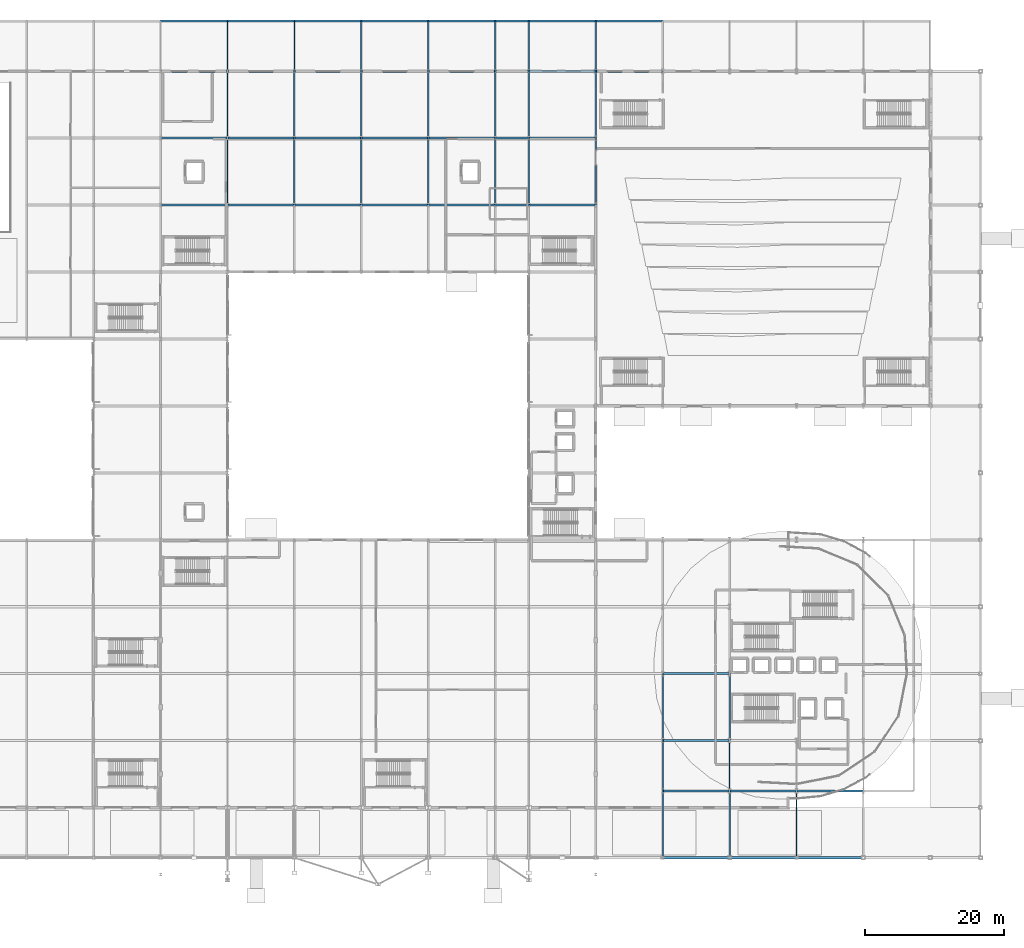
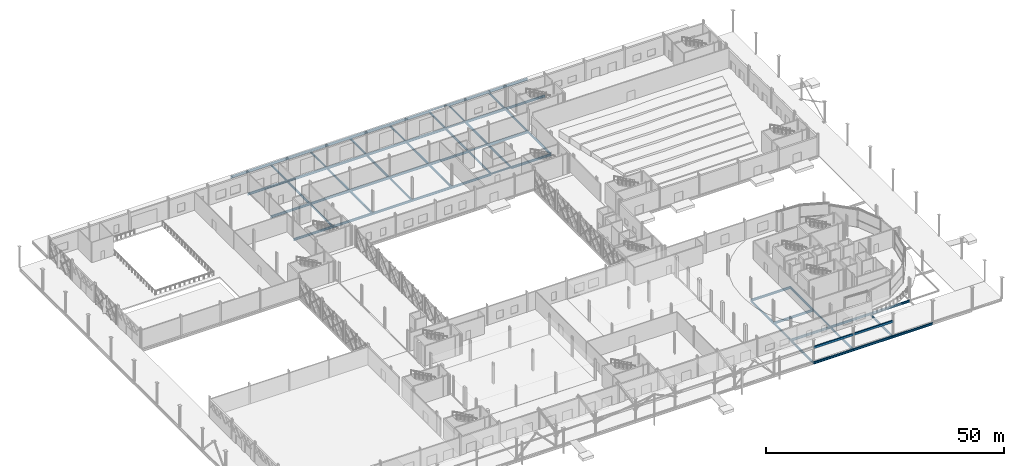
# One storey, part 42 of 84: 68 beams.
"""IFC4 building model written with IfcOpenShell, lengths in metres."""

from ifc_helpers import new_model, si_unit, direction, frame, origin, origin_2d, place, context, subcontext, project, spatial, rectangle, i_section, extrude, material, material_profile, profile_set, type_object, element, save


model = new_model("IFC4")

# Units and contexts
model_context = context("Model", 3, precision=1e-05, world=origin(), true_north=direction((0.0, 1.0)))
body_context = subcontext(model_context, "Body", "Model", "MODEL_VIEW")
ifc_project = project(units=[si_unit("LENGTHUNIT", "METRE"), si_unit("AREAUNIT", "SQUARE_METRE"), si_unit("VOLUMEUNIT", "CUBIC_METRE"), si_unit("PLANEANGLEUNIT", "RADIAN"), si_unit("MASSUNIT", "GRAM", prefix="KILO")], contexts=[model_context])

# Site, building, storey
site_placement = place(None, origin())
site = spatial("IfcSite", under=ifc_project, at=site_placement, CompositionType="ELEMENT")
building_placement = place(site_placement, origin())
building = spatial("IfcBuilding", under=site, at=building_placement, Name="Zevrakil Square Congress Hotel", CompositionType="ELEMENT")
storey_placement = place(building_placement, origin())
storey = spatial("IfcBuildingStorey", under=building, at=storey_placement, Name="L01", CompositionType="ELEMENT", Elevation=0.0)

# Beams
ifc_material_1 = material(Name="Steel S355", Category="steel")
ifc_material_profile_1 = material_profile(ifc_material_1, i_section(OverallWidth=0.300048828125, OverallDepth=0.31005859375, WebThickness=0.009033203125, FlangeThickness=0.015380859375, FilletRadius=0.027099609375, at=origin_2d()), Name="HEA 320")
ifc_profile_set_1 = profile_set([ifc_material_profile_1], Name="Steel S355")
beam_type_1 = type_object("IfcBeamType", Name="BM-HEA320", PredefinedType="BEAM", material=ifc_profile_set_1)
for number, where, z_axis, x_axis, name in (
    (1, (103.199951171875, 93.60009765625, -0.47509765625), (1.0, 0.0, 0.0), (0.0, 1.0, 0.0), "L01 primary girder BX-0408"),
    (2, (103.199951171875, 103.199951171875, -0.47509765625), (1.0, 0.0, 0.0), (0.0, 1.0, 0.0), "L01 primary girder BX-0420"),
    (3, (103.199951171875, 112.800048828125, -0.47509765625), (1.0, 0.0, 0.0), (0.0, 1.0, 0.0), "L01 primary girder BX-0434"),
    (4, (103.199951171875, 120.0, -0.47509765625), (1.0, 0.0, 0.0), (0.0, 1.0, 0.0), "L01 primary girder BX-0452"),
):
    element("IfcBeam", number, at=place(storey_placement, frame(where, z_axis=z_axis, x_axis=x_axis)), inside=storey, type_object=beam_type_1, Name=name, PredefinedType="BEAM", context=body_context, shape_type="SweptSolid", body=[
        extrude(i_section(OverallWidth=0.300048828125, OverallDepth=0.31005859375, WebThickness=0.009033203125, FlangeThickness=0.015380859375, FilletRadius=0.027099609375, at=origin_2d()), origin(), (0.0, 0.0, 1.0), 4.800048828125),
    ])
ifc_material_2 = material(Name="Steel S355", Category="steel")
ifc_material_profile_2 = material_profile(ifc_material_2, i_section(OverallWidth=0.300048828125, OverallDepth=0.5400390625, WebThickness=0.012451171875, FlangeThickness=0.02392578125, FilletRadius=0.027099609375, at=origin_2d()), Name="HEA 550")
ifc_profile_set_2 = profile_set([ifc_material_profile_2], Name="Steel S355")
beam_type_2 = type_object("IfcBeamType", Name="BM-HEA550", PredefinedType="BEAM", material=ifc_profile_set_2)
beam_1_placement = place(storey_placement, frame((127.199951171875, 0.0, -0.590087890625), z_axis=(1.0, 0.0, 0.0), x_axis=(0.0, 1.0, 0.0)))
element("IfcBeam", 5, at=beam_1_placement, inside=storey, type_object=beam_type_2, Name="L01 primary girder BX-0273", PredefinedType="BEAM", context=body_context, shape_type="SweptSolid", body=[
    extrude(i_section(OverallWidth=0.300048828125, OverallDepth=0.5400390625, WebThickness=0.012451171875, FlangeThickness=0.02392578125, FilletRadius=0.027099609375, at=origin_2d()), origin(), (0.0, 0.0, 1.0), 9.60009765625),
])
beam_2_placement = place(storey_placement, frame((136.800048828125, 0.0, -0.590087890625), z_axis=(1.0, 0.0, 0.0), x_axis=(0.0, 1.0, 0.0)))
element("IfcBeam", 6, at=beam_2_placement, inside=storey, type_object=beam_type_2, Name="L01 primary girder BX-0274", PredefinedType="BEAM", context=body_context, shape_type="SweptSolid", body=[
    extrude(i_section(OverallWidth=0.300048828125, OverallDepth=0.5400390625, WebThickness=0.012451171875, FlangeThickness=0.02392578125, FilletRadius=0.027099609375, at=origin_2d()), origin(), (0.0, 0.0, 1.0), 9.599853515625),
])
for number, where, z_axis, x_axis, name in (
    (7, (146.39990234375, 0.0, -0.590087890625), (1.0, 0.0, 0.0), (0.0, 1.0, 0.0), "L01 primary girder BX-0275"),
    (8, (127.199951171875, 9.60009765625, -0.590087890625), (1.0, 0.0, 0.0), (0.0, 1.0, 0.0), "L01 primary girder BX-0291"),
):
    element("IfcBeam", number, at=place(storey_placement, frame(where, z_axis=z_axis, x_axis=x_axis)), inside=storey, type_object=beam_type_2, Name=name, PredefinedType="BEAM", context=body_context, shape_type="SweptSolid", body=[
        extrude(i_section(OverallWidth=0.300048828125, OverallDepth=0.5400390625, WebThickness=0.012451171875, FlangeThickness=0.02392578125, FilletRadius=0.027099609375, at=origin_2d()), origin(), (0.0, 0.0, 1.0), 9.60009765625),
    ])
beam_3_placement = place(storey_placement, frame((136.800048828125, 9.60009765625, -0.590087890625), z_axis=(1.0, 0.0, 0.0), x_axis=(0.0, 1.0, 0.0)))
element("IfcBeam", 9, at=beam_3_placement, inside=storey, type_object=beam_type_2, Name="L01 primary girder BX-0292", PredefinedType="BEAM", context=body_context, shape_type="SweptSolid", body=[
    extrude(i_section(OverallWidth=0.300048828125, OverallDepth=0.5400390625, WebThickness=0.012451171875, FlangeThickness=0.02392578125, FilletRadius=0.027099609375, at=origin_2d()), origin(), (0.0, 0.0, 1.0), 9.599853515625),
])
for number, where, z_axis, x_axis, name in (
    (10, (146.39990234375, 9.60009765625, -0.590087890625), (1.0, 0.0, 0.0), (0.0, 1.0, 0.0), "L01 primary girder BX-0293"),
    (11, (127.199951171875, 16.800048828125, -0.590087890625), (1.0, 0.0, 0.0), (0.0, 1.0, 0.0), "L01 primary girder BX-0309"),
    (12, (127.199951171875, 26.39990234375, -0.590087890625), (1.0, 0.0, 0.0), (0.0, 1.0, 0.0), "L01 primary girder BX-0328"),
    (13, (55.199951171875, 93.60009765625, -0.590087890625), (1.0, 0.0, 0.0), (0.0, 1.0, 0.0), "L01 primary girder BX-0403"),
):
    element("IfcBeam", number, at=place(storey_placement, frame(where, z_axis=z_axis, x_axis=x_axis)), inside=storey, type_object=beam_type_2, Name=name, PredefinedType="BEAM", context=body_context, shape_type="SweptSolid", body=[
        extrude(i_section(OverallWidth=0.300048828125, OverallDepth=0.5400390625, WebThickness=0.012451171875, FlangeThickness=0.02392578125, FilletRadius=0.027099609375, at=origin_2d()), origin(), (0.0, 0.0, 1.0), 9.60009765625),
    ])
beam_4_placement = place(storey_placement, frame((64.800048828125, 93.60009765625, -0.590087890625), z_axis=(1.0, 0.0, 0.0), x_axis=(0.0, 1.0, 0.0)))
element("IfcBeam", 14, at=beam_4_placement, inside=storey, type_object=beam_type_2, Name="L01 primary girder BX-0404", PredefinedType="BEAM", context=body_context, shape_type="SweptSolid", body=[
    extrude(i_section(OverallWidth=0.300048828125, OverallDepth=0.5400390625, WebThickness=0.012451171875, FlangeThickness=0.02392578125, FilletRadius=0.027099609375, at=origin_2d()), origin(), (0.0, 0.0, 1.0), 9.599853515625),
])
for number, where, z_axis, x_axis, name in (
    (15, (74.39990234375, 93.60009765625, -0.590087890625), (1.0, 0.0, 0.0), (0.0, 1.0, 0.0), "L01 primary girder BX-0405"),
    (16, (84.0, 93.60009765625, -0.590087890625), (1.0, 0.0, 0.0), (0.0, 1.0, 0.0), "L01 primary girder BX-0406"),
):
    element("IfcBeam", number, at=place(storey_placement, frame(where, z_axis=z_axis, x_axis=x_axis)), inside=storey, type_object=beam_type_2, Name=name, PredefinedType="BEAM", context=body_context, shape_type="SweptSolid", body=[
        extrude(i_section(OverallWidth=0.300048828125, OverallDepth=0.5400390625, WebThickness=0.012451171875, FlangeThickness=0.02392578125, FilletRadius=0.027099609375, at=origin_2d()), origin(), (0.0, 0.0, 1.0), 9.60009765625),
    ])
beam_5_placement = place(storey_placement, frame((93.60009765625, 93.60009765625, -0.590087890625), z_axis=(1.0, 0.0, 0.0), x_axis=(0.0, 1.0, 0.0)))
element("IfcBeam", 17, at=beam_5_placement, inside=storey, type_object=beam_type_2, Name="L01 primary girder BX-0407", PredefinedType="BEAM", context=body_context, shape_type="SweptSolid", body=[
    extrude(i_section(OverallWidth=0.300048828125, OverallDepth=0.5400390625, WebThickness=0.012451171875, FlangeThickness=0.02392578125, FilletRadius=0.027099609375, at=origin_2d()), origin(), (0.0, 0.0, 1.0), 9.599853515625),
])
for number, where, z_axis, x_axis, name in (
    (18, (108.0, 93.60009765625, -0.590087890625), (1.0, 0.0, 0.0), (0.0, 1.0, 0.0), "L01 primary girder BX-0409"),
    (19, (55.199951171875, 103.199951171875, -0.590087890625), (1.0, 0.0, 0.0), (0.0, 1.0, 0.0), "L01 primary girder BX-0415"),
):
    element("IfcBeam", number, at=place(storey_placement, frame(where, z_axis=z_axis, x_axis=x_axis)), inside=storey, type_object=beam_type_2, Name=name, PredefinedType="BEAM", context=body_context, shape_type="SweptSolid", body=[
        extrude(i_section(OverallWidth=0.300048828125, OverallDepth=0.5400390625, WebThickness=0.012451171875, FlangeThickness=0.02392578125, FilletRadius=0.027099609375, at=origin_2d()), origin(), (0.0, 0.0, 1.0), 9.60009765625),
    ])
beam_6_placement = place(storey_placement, frame((64.800048828125, 103.199951171875, -0.590087890625), z_axis=(1.0, 0.0, 0.0), x_axis=(0.0, 1.0, 0.0)))
element("IfcBeam", 20, at=beam_6_placement, inside=storey, type_object=beam_type_2, Name="L01 primary girder BX-0416", PredefinedType="BEAM", context=body_context, shape_type="SweptSolid", body=[
    extrude(i_section(OverallWidth=0.300048828125, OverallDepth=0.5400390625, WebThickness=0.012451171875, FlangeThickness=0.02392578125, FilletRadius=0.027099609375, at=origin_2d()), origin(), (0.0, 0.0, 1.0), 9.599853515625),
])
for number, where, z_axis, x_axis, name in (
    (21, (74.39990234375, 103.199951171875, -0.590087890625), (1.0, 0.0, 0.0), (0.0, 1.0, 0.0), "L01 primary girder BX-0417"),
    (22, (84.0, 103.199951171875, -0.590087890625), (1.0, 0.0, 0.0), (0.0, 1.0, 0.0), "L01 primary girder BX-0418"),
):
    element("IfcBeam", number, at=place(storey_placement, frame(where, z_axis=z_axis, x_axis=x_axis)), inside=storey, type_object=beam_type_2, Name=name, PredefinedType="BEAM", context=body_context, shape_type="SweptSolid", body=[
        extrude(i_section(OverallWidth=0.300048828125, OverallDepth=0.5400390625, WebThickness=0.012451171875, FlangeThickness=0.02392578125, FilletRadius=0.027099609375, at=origin_2d()), origin(), (0.0, 0.0, 1.0), 9.60009765625),
    ])
beam_7_placement = place(storey_placement, frame((93.60009765625, 103.199951171875, -0.590087890625), z_axis=(1.0, 0.0, 0.0), x_axis=(0.0, 1.0, 0.0)))
element("IfcBeam", 23, at=beam_7_placement, inside=storey, type_object=beam_type_2, Name="L01 primary girder BX-0419", PredefinedType="BEAM", context=body_context, shape_type="SweptSolid", body=[
    extrude(i_section(OverallWidth=0.300048828125, OverallDepth=0.5400390625, WebThickness=0.012451171875, FlangeThickness=0.02392578125, FilletRadius=0.027099609375, at=origin_2d()), origin(), (0.0, 0.0, 1.0), 9.599853515625),
])
for number, where, z_axis, x_axis, name in (
    (24, (108.0, 103.199951171875, -0.590087890625), (1.0, 0.0, 0.0), (0.0, 1.0, 0.0), "L01 primary girder BX-0421"),
    (25, (55.199951171875, 112.800048828125, -0.590087890625), (1.0, 0.0, 0.0), (0.0, 1.0, 0.0), "L01 primary girder BX-0429"),
):
    element("IfcBeam", number, at=place(storey_placement, frame(where, z_axis=z_axis, x_axis=x_axis)), inside=storey, type_object=beam_type_2, Name=name, PredefinedType="BEAM", context=body_context, shape_type="SweptSolid", body=[
        extrude(i_section(OverallWidth=0.300048828125, OverallDepth=0.5400390625, WebThickness=0.012451171875, FlangeThickness=0.02392578125, FilletRadius=0.027099609375, at=origin_2d()), origin(), (0.0, 0.0, 1.0), 9.60009765625),
    ])
beam_8_placement = place(storey_placement, frame((64.800048828125, 112.800048828125, -0.590087890625), z_axis=(1.0, 0.0, 0.0), x_axis=(0.0, 1.0, 0.0)))
element("IfcBeam", 26, at=beam_8_placement, inside=storey, type_object=beam_type_2, Name="L01 primary girder BX-0430", PredefinedType="BEAM", context=body_context, shape_type="SweptSolid", body=[
    extrude(i_section(OverallWidth=0.300048828125, OverallDepth=0.5400390625, WebThickness=0.012451171875, FlangeThickness=0.02392578125, FilletRadius=0.027099609375, at=origin_2d()), origin(), (0.0, 0.0, 1.0), 9.599853515625),
])
for number, where, z_axis, x_axis, name in (
    (27, (74.39990234375, 112.800048828125, -0.590087890625), (1.0, 0.0, 0.0), (0.0, 1.0, 0.0), "L01 primary girder BX-0431"),
    (28, (84.0, 112.800048828125, -0.590087890625), (1.0, 0.0, 0.0), (0.0, 1.0, 0.0), "L01 primary girder BX-0432"),
):
    element("IfcBeam", number, at=place(storey_placement, frame(where, z_axis=z_axis, x_axis=x_axis)), inside=storey, type_object=beam_type_2, Name=name, PredefinedType="BEAM", context=body_context, shape_type="SweptSolid", body=[
        extrude(i_section(OverallWidth=0.300048828125, OverallDepth=0.5400390625, WebThickness=0.012451171875, FlangeThickness=0.02392578125, FilletRadius=0.027099609375, at=origin_2d()), origin(), (0.0, 0.0, 1.0), 9.60009765625),
    ])
beam_9_placement = place(storey_placement, frame((93.60009765625, 112.800048828125, -0.590087890625), z_axis=(1.0, 0.0, 0.0), x_axis=(0.0, 1.0, 0.0)))
element("IfcBeam", 29, at=beam_9_placement, inside=storey, type_object=beam_type_2, Name="L01 primary girder BX-0433", PredefinedType="BEAM", context=body_context, shape_type="SweptSolid", body=[
    extrude(i_section(OverallWidth=0.300048828125, OverallDepth=0.5400390625, WebThickness=0.012451171875, FlangeThickness=0.02392578125, FilletRadius=0.027099609375, at=origin_2d()), origin(), (0.0, 0.0, 1.0), 9.599853515625),
])
beam_10_placement = place(storey_placement, frame((108.0, 112.800048828125, -0.590087890625), z_axis=(1.0, 0.0, 0.0), x_axis=(0.0, 1.0, 0.0)))
element("IfcBeam", 30, at=beam_10_placement, inside=storey, type_object=beam_type_2, Name="L01 primary girder BX-0435", PredefinedType="BEAM", context=body_context, shape_type="SweptSolid", body=[
    extrude(i_section(OverallWidth=0.300048828125, OverallDepth=0.5400390625, WebThickness=0.012451171875, FlangeThickness=0.02392578125, FilletRadius=0.027099609375, at=origin_2d()), origin(), (0.0, 0.0, 1.0), 9.60009765625),
])
beam_11_placement = place(storey_placement, frame((117.60009765625, 112.800048828125, -0.590087890625), z_axis=(1.0, 0.0, 0.0), x_axis=(0.0, 1.0, 0.0)))
element("IfcBeam", 31, at=beam_11_placement, inside=storey, type_object=beam_type_2, Name="L01 primary girder BX-0436", PredefinedType="BEAM", context=body_context, shape_type="SweptSolid", body=[
    extrude(i_section(OverallWidth=0.300048828125, OverallDepth=0.5400390625, WebThickness=0.012451171875, FlangeThickness=0.02392578125, FilletRadius=0.027099609375, at=origin_2d()), origin(), (0.0, 0.0, 1.0), 9.599853515625),
])
beam_12_placement = place(storey_placement, frame((55.199951171875, 120.0, -0.590087890625), z_axis=(1.0, 0.0, 0.0), x_axis=(0.0, 1.0, 0.0)))
element("IfcBeam", 32, at=beam_12_placement, inside=storey, type_object=beam_type_2, Name="L01 primary girder BX-0447", PredefinedType="BEAM", context=body_context, shape_type="SweptSolid", body=[
    extrude(i_section(OverallWidth=0.300048828125, OverallDepth=0.5400390625, WebThickness=0.012451171875, FlangeThickness=0.02392578125, FilletRadius=0.027099609375, at=origin_2d()), origin(), (0.0, 0.0, 1.0), 9.60009765625),
])
beam_13_placement = place(storey_placement, frame((64.800048828125, 120.0, -0.590087890625), z_axis=(1.0, 0.0, 0.0), x_axis=(0.0, 1.0, 0.0)))
element("IfcBeam", 33, at=beam_13_placement, inside=storey, type_object=beam_type_2, Name="L01 primary girder BX-0448", PredefinedType="BEAM", context=body_context, shape_type="SweptSolid", body=[
    extrude(i_section(OverallWidth=0.300048828125, OverallDepth=0.5400390625, WebThickness=0.012451171875, FlangeThickness=0.02392578125, FilletRadius=0.027099609375, at=origin_2d()), origin(), (0.0, 0.0, 1.0), 9.599853515625),
])
for number, where, z_axis, x_axis, name in (
    (34, (74.39990234375, 120.0, -0.590087890625), (1.0, 0.0, 0.0), (0.0, 1.0, 0.0), "L01 primary girder BX-0449"),
    (35, (84.0, 120.0, -0.590087890625), (1.0, 0.0, 0.0), (0.0, 1.0, 0.0), "L01 primary girder BX-0450"),
):
    element("IfcBeam", number, at=place(storey_placement, frame(where, z_axis=z_axis, x_axis=x_axis)), inside=storey, type_object=beam_type_2, Name=name, PredefinedType="BEAM", context=body_context, shape_type="SweptSolid", body=[
        extrude(i_section(OverallWidth=0.300048828125, OverallDepth=0.5400390625, WebThickness=0.012451171875, FlangeThickness=0.02392578125, FilletRadius=0.027099609375, at=origin_2d()), origin(), (0.0, 0.0, 1.0), 9.60009765625),
    ])
beam_14_placement = place(storey_placement, frame((93.60009765625, 120.0, -0.590087890625), z_axis=(1.0, 0.0, 0.0), x_axis=(0.0, 1.0, 0.0)))
element("IfcBeam", 36, at=beam_14_placement, inside=storey, type_object=beam_type_2, Name="L01 primary girder BX-0451", PredefinedType="BEAM", context=body_context, shape_type="SweptSolid", body=[
    extrude(i_section(OverallWidth=0.300048828125, OverallDepth=0.5400390625, WebThickness=0.012451171875, FlangeThickness=0.02392578125, FilletRadius=0.027099609375, at=origin_2d()), origin(), (0.0, 0.0, 1.0), 9.599853515625),
])
beam_15_placement = place(storey_placement, frame((108.0, 120.0, -0.590087890625), z_axis=(1.0, 0.0, 0.0), x_axis=(0.0, 1.0, 0.0)))
element("IfcBeam", 37, at=beam_15_placement, inside=storey, type_object=beam_type_2, Name="L01 primary girder BX-0453", PredefinedType="BEAM", context=body_context, shape_type="SweptSolid", body=[
    extrude(i_section(OverallWidth=0.300048828125, OverallDepth=0.5400390625, WebThickness=0.012451171875, FlangeThickness=0.02392578125, FilletRadius=0.027099609375, at=origin_2d()), origin(), (0.0, 0.0, 1.0), 9.60009765625),
])
beam_16_placement = place(storey_placement, frame((117.60009765625, 120.0, -0.590087890625), z_axis=(1.0, 0.0, 0.0), x_axis=(0.0, 1.0, 0.0)))
element("IfcBeam", 38, at=beam_16_placement, inside=storey, type_object=beam_type_2, Name="L01 primary girder BX-0454", PredefinedType="BEAM", context=body_context, shape_type="SweptSolid", body=[
    extrude(i_section(OverallWidth=0.300048828125, OverallDepth=0.5400390625, WebThickness=0.012451171875, FlangeThickness=0.02392578125, FilletRadius=0.027099609375, at=origin_2d()), origin(), (0.0, 0.0, 1.0), 9.599853515625),
])
ifc_material_3 = material(Name="Steel S355", Category="steel")
ifc_material_profile_3 = material_profile(ifc_material_3, i_section(OverallWidth=0.18994140625, OverallDepth=0.449951171875, WebThickness=0.009521484375, FlangeThickness=0.0146484375, FilletRadius=0.02099609375, at=origin_2d()), Name="IPE 450")
ifc_profile_set_3 = profile_set([ifc_material_profile_3], Name="Steel S355")
beam_type_3 = type_object("IfcBeamType", Name="BM-IPE450", PredefinedType="BEAM", material=ifc_profile_set_3)
for number, where, z_axis, x_axis, name in (
    (39, (64.800048828125, 112.800048828125, -0.544921875), (0.0, 1.0, 0.0), (-1.0, 0.0, 0.0), "L01 primary girder BY-0547"),
    (40, (74.39990234375, 112.800048828125, -0.544921875), (0.0, 1.0, 0.0), (-1.0, 0.0, 0.0), "L01 primary girder BY-0556"),
    (41, (84.0, 112.800048828125, -0.544921875), (0.0, 1.0, 0.0), (-1.0, 0.0, 0.0), "L01 primary girder BY-0565"),
    (42, (93.60009765625, 112.800048828125, -0.544921875), (0.0, 1.0, 0.0), (-1.0, 0.0, 0.0), "L01 primary girder BY-0574"),
    (43, (103.199951171875, 112.800048828125, -0.544921875), (0.0, 1.0, 0.0), (-1.0, 0.0, 0.0), "L01 primary girder BY-0583"),
    (44, (108.0, 112.800048828125, -0.544921875), (0.0, 1.0, 0.0), (-1.0, 0.0, 0.0), "L01 primary girder BY-0596"),
    (45, (117.60009765625, 112.800048828125, -0.544921875), (0.0, 1.0, 0.0), (-1.0, 0.0, 0.0), "L01 primary girder BY-0613"),
    (46, (127.199951171875, 9.60009765625, -0.544921875), (0.0, 1.0, 0.0), (-1.0, 0.0, 0.0), "L01 primary girder BY-0615"),
    (47, (136.800048828125, 9.60009765625, -0.544921875), (0.0, 1.0, 0.0), (-1.0, 0.0, 0.0), "L01 primary girder BY-0621"),
):
    element("IfcBeam", number, at=place(storey_placement, frame(where, z_axis=z_axis, x_axis=x_axis)), inside=storey, type_object=beam_type_3, Name=name, PredefinedType="BEAM", context=body_context, shape_type="SweptSolid", body=[
        extrude(i_section(OverallWidth=0.18994140625, OverallDepth=0.449951171875, WebThickness=0.009521484375, FlangeThickness=0.0146484375, FilletRadius=0.02099609375, at=origin_2d()), origin(), (0.0, 0.0, 1.0), 7.199951171875),
    ])
ifc_material_4 = material(Name="Steel S355", Category="steel")
ifc_material_profile_4 = material_profile(ifc_material_4, i_section(OverallWidth=0.2099609375, OverallDepth=0.550048828125, WebThickness=0.010986328125, FlangeThickness=0.01708984375, FilletRadius=0.02392578125, at=origin_2d()), Name="IPE 550")
ifc_profile_set_4 = profile_set([ifc_material_profile_4], Name="Steel S355")
beam_type_4 = type_object("IfcBeamType", Name="BM-IPE550", PredefinedType="BEAM", material=ifc_profile_set_4)
beam_17_placement = place(storey_placement, frame((64.800048828125, 93.60009765625, -0.594970703125), z_axis=(0.0, 1.0, 0.0), x_axis=(-1.0, 0.0, 0.0)))
element("IfcBeam", 48, at=beam_17_placement, inside=storey, type_object=beam_type_4, Name="L01 primary girder BY-0545", PredefinedType="BEAM", context=body_context, shape_type="SweptSolid", body=[
    extrude(i_section(OverallWidth=0.2099609375, OverallDepth=0.550048828125, WebThickness=0.010986328125, FlangeThickness=0.01708984375, FilletRadius=0.02392578125, at=origin_2d()), origin(), (0.0, 0.0, 1.0), 9.599853515625),
])
beam_18_placement = place(storey_placement, frame((64.800048828125, 103.199951171875, -0.594970703125), z_axis=(0.0, 1.0, 0.0), x_axis=(-1.0, 0.0, 0.0)))
element("IfcBeam", 49, at=beam_18_placement, inside=storey, type_object=beam_type_4, Name="L01 primary girder BY-0546", PredefinedType="BEAM", context=body_context, shape_type="SweptSolid", body=[
    extrude(i_section(OverallWidth=0.2099609375, OverallDepth=0.550048828125, WebThickness=0.010986328125, FlangeThickness=0.01708984375, FilletRadius=0.02392578125, at=origin_2d()), origin(), (0.0, 0.0, 1.0), 9.60009765625),
])
beam_19_placement = place(storey_placement, frame((74.39990234375, 93.60009765625, -0.594970703125), z_axis=(0.0, 1.0, 0.0), x_axis=(-1.0, 0.0, 0.0)))
element("IfcBeam", 50, at=beam_19_placement, inside=storey, type_object=beam_type_4, Name="L01 primary girder BY-0554", PredefinedType="BEAM", context=body_context, shape_type="SweptSolid", body=[
    extrude(i_section(OverallWidth=0.2099609375, OverallDepth=0.550048828125, WebThickness=0.010986328125, FlangeThickness=0.01708984375, FilletRadius=0.02392578125, at=origin_2d()), origin(), (0.0, 0.0, 1.0), 9.599853515625),
])
beam_20_placement = place(storey_placement, frame((74.39990234375, 103.199951171875, -0.594970703125), z_axis=(0.0, 1.0, 0.0), x_axis=(-1.0, 0.0, 0.0)))
element("IfcBeam", 51, at=beam_20_placement, inside=storey, type_object=beam_type_4, Name="L01 primary girder BY-0555", PredefinedType="BEAM", context=body_context, shape_type="SweptSolid", body=[
    extrude(i_section(OverallWidth=0.2099609375, OverallDepth=0.550048828125, WebThickness=0.010986328125, FlangeThickness=0.01708984375, FilletRadius=0.02392578125, at=origin_2d()), origin(), (0.0, 0.0, 1.0), 9.60009765625),
])
beam_21_placement = place(storey_placement, frame((84.0, 93.60009765625, -0.594970703125), z_axis=(0.0, 1.0, 0.0), x_axis=(-1.0, 0.0, 0.0)))
element("IfcBeam", 52, at=beam_21_placement, inside=storey, type_object=beam_type_4, Name="L01 primary girder BY-0563", PredefinedType="BEAM", context=body_context, shape_type="SweptSolid", body=[
    extrude(i_section(OverallWidth=0.2099609375, OverallDepth=0.550048828125, WebThickness=0.010986328125, FlangeThickness=0.01708984375, FilletRadius=0.02392578125, at=origin_2d()), origin(), (0.0, 0.0, 1.0), 9.599853515625),
])
beam_22_placement = place(storey_placement, frame((84.0, 103.199951171875, -0.594970703125), z_axis=(0.0, 1.0, 0.0), x_axis=(-1.0, 0.0, 0.0)))
element("IfcBeam", 53, at=beam_22_placement, inside=storey, type_object=beam_type_4, Name="L01 primary girder BY-0564", PredefinedType="BEAM", context=body_context, shape_type="SweptSolid", body=[
    extrude(i_section(OverallWidth=0.2099609375, OverallDepth=0.550048828125, WebThickness=0.010986328125, FlangeThickness=0.01708984375, FilletRadius=0.02392578125, at=origin_2d()), origin(), (0.0, 0.0, 1.0), 9.60009765625),
])
beam_23_placement = place(storey_placement, frame((93.60009765625, 93.60009765625, -0.594970703125), z_axis=(0.0, 1.0, 0.0), x_axis=(-1.0, 0.0, 0.0)))
element("IfcBeam", 54, at=beam_23_placement, inside=storey, type_object=beam_type_4, Name="L01 primary girder BY-0572", PredefinedType="BEAM", context=body_context, shape_type="SweptSolid", body=[
    extrude(i_section(OverallWidth=0.2099609375, OverallDepth=0.550048828125, WebThickness=0.010986328125, FlangeThickness=0.01708984375, FilletRadius=0.02392578125, at=origin_2d()), origin(), (0.0, 0.0, 1.0), 9.599853515625),
])
beam_24_placement = place(storey_placement, frame((93.60009765625, 103.199951171875, -0.594970703125), z_axis=(0.0, 1.0, 0.0), x_axis=(-1.0, 0.0, 0.0)))
element("IfcBeam", 55, at=beam_24_placement, inside=storey, type_object=beam_type_4, Name="L01 primary girder BY-0573", PredefinedType="BEAM", context=body_context, shape_type="SweptSolid", body=[
    extrude(i_section(OverallWidth=0.2099609375, OverallDepth=0.550048828125, WebThickness=0.010986328125, FlangeThickness=0.01708984375, FilletRadius=0.02392578125, at=origin_2d()), origin(), (0.0, 0.0, 1.0), 9.60009765625),
])
beam_25_placement = place(storey_placement, frame((103.199951171875, 93.60009765625, -0.594970703125), z_axis=(0.0, 1.0, 0.0), x_axis=(-1.0, 0.0, 0.0)))
element("IfcBeam", 56, at=beam_25_placement, inside=storey, type_object=beam_type_4, Name="L01 primary girder BY-0581", PredefinedType="BEAM", context=body_context, shape_type="SweptSolid", body=[
    extrude(i_section(OverallWidth=0.2099609375, OverallDepth=0.550048828125, WebThickness=0.010986328125, FlangeThickness=0.01708984375, FilletRadius=0.02392578125, at=origin_2d()), origin(), (0.0, 0.0, 1.0), 9.599853515625),
])
beam_26_placement = place(storey_placement, frame((103.199951171875, 103.199951171875, -0.594970703125), z_axis=(0.0, 1.0, 0.0), x_axis=(-1.0, 0.0, 0.0)))
element("IfcBeam", 57, at=beam_26_placement, inside=storey, type_object=beam_type_4, Name="L01 primary girder BY-0582", PredefinedType="BEAM", context=body_context, shape_type="SweptSolid", body=[
    extrude(i_section(OverallWidth=0.2099609375, OverallDepth=0.550048828125, WebThickness=0.010986328125, FlangeThickness=0.01708984375, FilletRadius=0.02392578125, at=origin_2d()), origin(), (0.0, 0.0, 1.0), 9.60009765625),
])
beam_27_placement = place(storey_placement, frame((108.0, 93.60009765625, -0.594970703125), z_axis=(0.0, 1.0, 0.0), x_axis=(-1.0, 0.0, 0.0)))
element("IfcBeam", 58, at=beam_27_placement, inside=storey, type_object=beam_type_4, Name="L01 primary girder BY-0594", PredefinedType="BEAM", context=body_context, shape_type="SweptSolid", body=[
    extrude(i_section(OverallWidth=0.2099609375, OverallDepth=0.550048828125, WebThickness=0.010986328125, FlangeThickness=0.01708984375, FilletRadius=0.02392578125, at=origin_2d()), origin(), (0.0, 0.0, 1.0), 9.599853515625),
])
beam_28_placement = place(storey_placement, frame((108.0, 103.199951171875, -0.594970703125), z_axis=(0.0, 1.0, 0.0), x_axis=(-1.0, 0.0, 0.0)))
element("IfcBeam", 59, at=beam_28_placement, inside=storey, type_object=beam_type_4, Name="L01 primary girder BY-0595", PredefinedType="BEAM", context=body_context, shape_type="SweptSolid", body=[
    extrude(i_section(OverallWidth=0.2099609375, OverallDepth=0.550048828125, WebThickness=0.010986328125, FlangeThickness=0.01708984375, FilletRadius=0.02392578125, at=origin_2d()), origin(), (0.0, 0.0, 1.0), 9.60009765625),
])
beam_29_placement = place(storey_placement, frame((117.60009765625, 93.60009765625, -0.594970703125), z_axis=(0.0, 1.0, 0.0), x_axis=(-1.0, 0.0, 0.0)))
element("IfcBeam", 60, at=beam_29_placement, inside=storey, type_object=beam_type_4, Name="L01 primary girder BY-0611", PredefinedType="BEAM", context=body_context, shape_type="SweptSolid", body=[
    extrude(i_section(OverallWidth=0.2099609375, OverallDepth=0.550048828125, WebThickness=0.010986328125, FlangeThickness=0.01708984375, FilletRadius=0.02392578125, at=origin_2d()), origin(), (0.0, 0.0, 1.0), 9.599853515625),
])
for number, where, z_axis, x_axis, name in (
    (61, (117.60009765625, 103.199951171875, -0.594970703125), (0.0, 1.0, 0.0), (-1.0, 0.0, 0.0), "L01 primary girder BY-0612"),
    (62, (127.199951171875, 0.0, -0.594970703125), (0.0, 1.0, 0.0), (-1.0, 0.0, 0.0), "L01 primary girder BY-0614"),
):
    element("IfcBeam", number, at=place(storey_placement, frame(where, z_axis=z_axis, x_axis=x_axis)), inside=storey, type_object=beam_type_4, Name=name, PredefinedType="BEAM", context=body_context, shape_type="SweptSolid", body=[
        extrude(i_section(OverallWidth=0.2099609375, OverallDepth=0.550048828125, WebThickness=0.010986328125, FlangeThickness=0.01708984375, FilletRadius=0.02392578125, at=origin_2d()), origin(), (0.0, 0.0, 1.0), 9.60009765625),
    ])
beam_30_placement = place(storey_placement, frame((127.199951171875, 16.800048828125, -0.594970703125), z_axis=(0.0, 1.0, 0.0), x_axis=(-1.0, 0.0, 0.0)))
element("IfcBeam", 63, at=beam_30_placement, inside=storey, type_object=beam_type_4, Name="L01 primary girder BY-0616", PredefinedType="BEAM", context=body_context, shape_type="SweptSolid", body=[
    extrude(i_section(OverallWidth=0.2099609375, OverallDepth=0.550048828125, WebThickness=0.010986328125, FlangeThickness=0.01708984375, FilletRadius=0.02392578125, at=origin_2d()), origin(), (0.0, 0.0, 1.0), 9.599853515625),
])
beam_31_placement = place(storey_placement, frame((136.800048828125, 0.0, -0.594970703125), z_axis=(0.0, 1.0, 0.0), x_axis=(-1.0, 0.0, 0.0)))
element("IfcBeam", 64, at=beam_31_placement, inside=storey, type_object=beam_type_4, Name="L01 primary girder BY-0620", PredefinedType="BEAM", context=body_context, shape_type="SweptSolid", body=[
    extrude(i_section(OverallWidth=0.2099609375, OverallDepth=0.550048828125, WebThickness=0.010986328125, FlangeThickness=0.01708984375, FilletRadius=0.02392578125, at=origin_2d()), origin(), (0.0, 0.0, 1.0), 9.60009765625),
])
beam_32_placement = place(storey_placement, frame((136.800048828125, 16.800048828125, -0.594970703125), z_axis=(0.0, 1.0, 0.0), x_axis=(-1.0, 0.0, 0.0)))
element("IfcBeam", 65, at=beam_32_placement, inside=storey, type_object=beam_type_4, Name="L01 primary girder BY-0622", PredefinedType="BEAM", context=body_context, shape_type="SweptSolid", body=[
    extrude(i_section(OverallWidth=0.2099609375, OverallDepth=0.550048828125, WebThickness=0.010986328125, FlangeThickness=0.01708984375, FilletRadius=0.02392578125, at=origin_2d()), origin(), (0.0, 0.0, 1.0), 9.599853515625),
])
beam_33_placement = place(storey_placement, frame((146.39990234375, 0.0, -0.594970703125), z_axis=(0.0, 1.0, 0.0), x_axis=(-1.0, 0.0, 0.0)))
element("IfcBeam", 66, at=beam_33_placement, inside=storey, type_object=beam_type_4, Name="L01 primary girder BY-0626", PredefinedType="BEAM", context=body_context, shape_type="SweptSolid", body=[
    extrude(i_section(OverallWidth=0.2099609375, OverallDepth=0.550048828125, WebThickness=0.010986328125, FlangeThickness=0.01708984375, FilletRadius=0.02392578125, at=origin_2d()), origin(), (0.0, 0.0, 1.0), 9.60009765625),
])
ifc_material_5 = material(Name="Concrete C40/50", Category="concrete")
ifc_material_profile_5 = material_profile(ifc_material_5, rectangle(XDim=0.300048828125, YDim=0.5, at=origin_2d()), Name="RC 300x500")
ifc_profile_set_5 = profile_set([ifc_material_profile_5], Name="Concrete C40/50")
beam_type_5 = type_object("IfcBeamType", Name="LNT-RC300x500", PredefinedType="LINTEL", material=ifc_profile_set_5)
beam_34_placement = place(storey_placement, frame((127.199951171875, 0.0, 3.39990234375), z_axis=(1.0, 0.0, 0.0), x_axis=(0.0, 1.0, 0.0)))
element("IfcBeam", 67, at=beam_34_placement, inside=storey, type_object=beam_type_5, Name="L01 colonnade transom lintel LN-15", PredefinedType="LINTEL", context=body_context, shape_type="SweptSolid", body=[
    extrude(rectangle(XDim=0.300048828125, YDim=0.5, at=origin_2d()), origin(), (0.0, 0.0, 1.0), 9.60009765625),
])
beam_35_placement = place(storey_placement, frame((136.800048828125, 0.0, 3.39990234375), z_axis=(1.0, 0.0, 0.0), x_axis=(0.0, 1.0, 0.0)))
element("IfcBeam", 68, at=beam_35_placement, inside=storey, type_object=beam_type_5, Name="L01 colonnade transom lintel LN-16", PredefinedType="LINTEL", context=body_context, shape_type="SweptSolid", body=[
    extrude(rectangle(XDim=0.300048828125, YDim=0.5, at=origin_2d()), origin(), (0.0, 0.0, 1.0), 9.599853515625),
])

save(model, "model.ifc")
